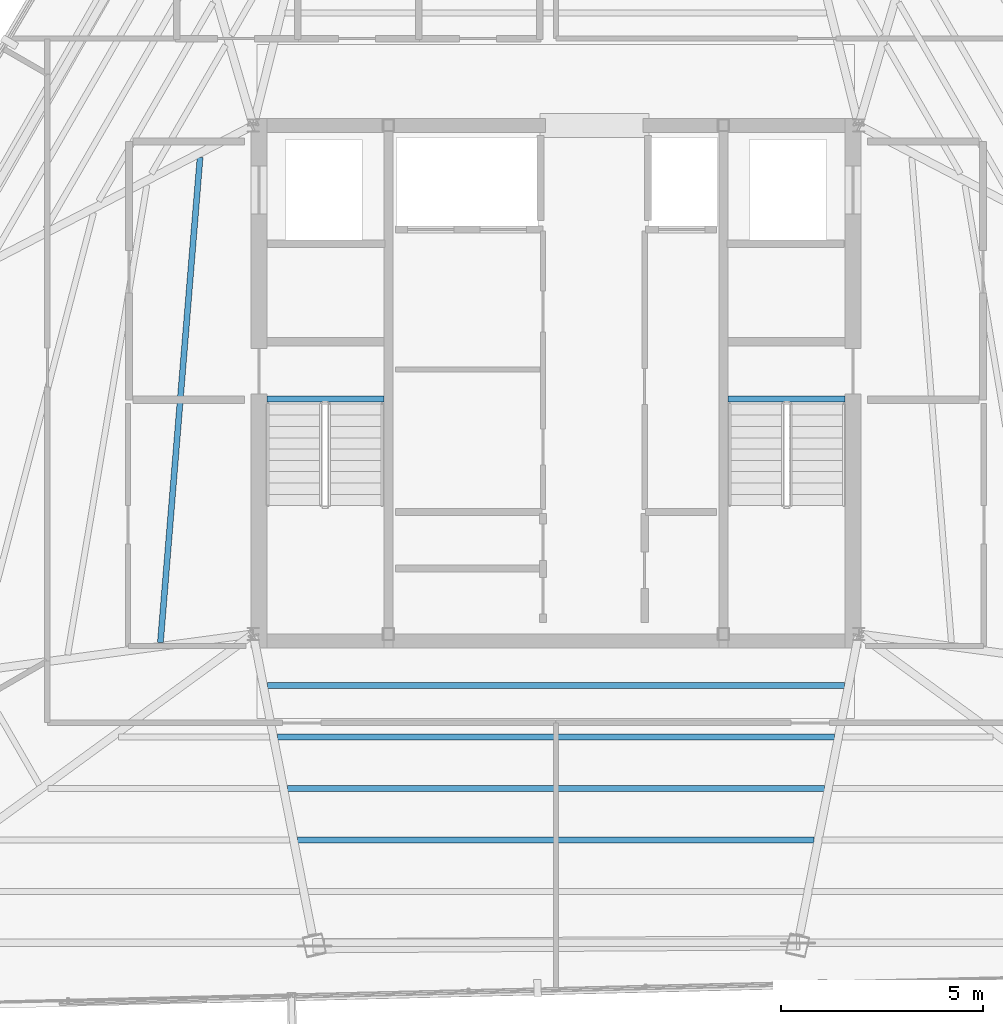
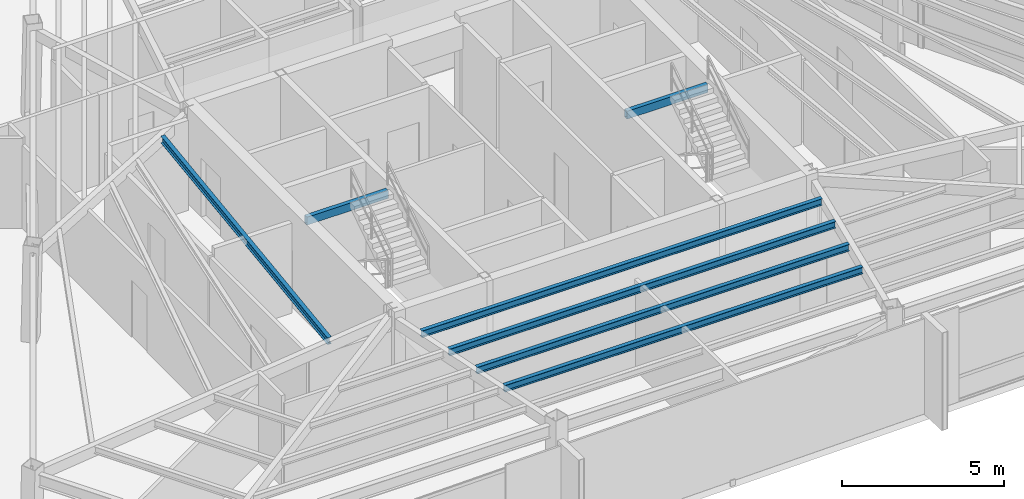
# One storey, part 16 of 45: 7 beams.
"""IFC4 building model written with IfcOpenShell, lengths in metres."""

from ifc_helpers import new_model, si_unit, direction, frame, origin, origin_2d, place, context, subcontext, project, spatial, hollow_rectangle, i_section, extrude, source, transform, mapped, material, material_profile, profile_set, type_object, type_shapes, element, save


model = new_model("IFC4")

# Units and contexts
model_context = context("Model", 3, precision=1e-05, world=origin(), true_north=direction((0.0, 1.0)))
body_context = subcontext(model_context, "Body", "Model", "MODEL_VIEW")
ifc_project = project(units=[si_unit("LENGTHUNIT", "METRE"), si_unit("AREAUNIT", "SQUARE_METRE"), si_unit("VOLUMEUNIT", "CUBIC_METRE"), si_unit("PLANEANGLEUNIT", "RADIAN"), si_unit("MASSUNIT", "GRAM", prefix="KILO")], contexts=[model_context])

# Site, building, storey
site_placement = place(None, origin())
site = spatial("IfcSite", under=ifc_project, at=site_placement, CompositionType="ELEMENT")
building_placement = place(site_placement, origin())
building = spatial("IfcBuilding", under=site, at=building_placement, Name="Caelisora Broadcast Tower", CompositionType="ELEMENT")
storey_placement = place(building_placement, frame((0.0, 0.0, 273.64990234375)))
storey = spatial("IfcBuildingStorey", under=building, at=storey_placement, Name="L72", CompositionType="ELEMENT", Elevation=273.64990234375)

# Beams
ifc_material_1 = material(Name="Steel Grade 350 (AS/NZS 1163 C350L0)", Category="steel")
ifc_material_profile_1 = material_profile(ifc_material_1, hollow_rectangle(XDim=0.14990234375, YDim=0.300048828125, WallThickness=0.010009765625, at=origin_2d()), Name="Steel Grade 350 (AS/NZS 1163 C350L0)")
ifc_profile_set_1 = profile_set([ifc_material_profile_1], Name="Steel Grade 350 (AS/NZS 1163 C350L0)")
beam_type_1 = type_object("IfcBeamType", Name="SB05", PredefinedType="JOIST", material=ifc_profile_set_1)
shared_shape_1 = source(origin(), body_context, "Body", "SweptSolid", [
    extrude(hollow_rectangle(XDim=0.14990234375, YDim=0.300048828125, WallThickness=0.010009765625, at=origin_2d()), origin(), (0.0, 0.0, 1.0), 2.89990234375),
])
type_shapes(beam_type_1, [shared_shape_1])
for number, where, z_axis, x_axis, name in (
    (1, (30.840087890625, 23.219970703125, 3.25), (1.0, 0.0, 0.0), (0.0, 1.0, 0.0), "L72 beam SB05"),
    (2, (42.260009765625, 23.219970703125, 3.25), (1.0, 0.0, 0.0), (0.0, 1.0, 0.0), "L72 beam SB05"),
):
    element("IfcBeam", number, at=place(storey_placement, frame(where, z_axis=z_axis, x_axis=x_axis)), inside=storey, type_object=beam_type_1, Name=name, PredefinedType="JOIST", context=body_context, shape_type="MappedRepresentation", body=[
        mapped(shared_shape_1, transform((0.0, 0.0, 0.0), scale=1.0)),
    ])
ifc_material_2 = material(Name="Steel Grade 350 (AS/NZS 3679.1)", Category="steel")
ifc_material_profile_2 = material_profile(ifc_material_2, i_section(OverallWidth=0.14599609375, OverallDepth=0.256103515625, WebThickness=0.00634765625, FlangeThickness=0.010986328125, at=origin_2d()), Name="Steel Grade 350 (AS/NZS 3679.1)")
ifc_profile_set_2 = profile_set([ifc_material_profile_2], Name="Steel Grade 350 (AS/NZS 3679.1)")
beam_type_2 = type_object("IfcBeamType", Name="SB04", PredefinedType="JOIST", material=ifc_profile_set_2)
shared_shape_2 = source(origin(), body_context, "Body", "SweptSolid", [
    extrude(i_section(OverallWidth=0.14599609375, OverallDepth=0.256103515625, WebThickness=0.00634765625, FlangeThickness=0.010986328125, at=origin_2d()), origin(), (0.0, 0.0, 1.0), 12.05810546875),
])
beam_1_placement = place(storey_placement, frame((29.183349609375, 29.20751953125, 3.27197265625), z_axis=(-0.081453543491, -0.996677139425, 0.0), x_axis=(0.996677139425, -0.081453543491, 0.0)))
element("IfcBeam", 3, at=beam_1_placement, inside=storey, type_object=beam_type_2, Name="L72 beam SB04", PredefinedType="JOIST", context=body_context, shape_type="MappedRepresentation", body=[
    mapped(shared_shape_2, transform((0.0, 0.0, 0.0), scale=1.0)),
])
shared_shape_3 = source(origin(), body_context, "Body", "SweptSolid", [
    extrude(i_section(OverallWidth=0.14599609375, OverallDepth=0.256103515625, WebThickness=0.00634765625, FlangeThickness=0.010986328125, at=origin_2d()), origin(), (0.0, 0.0, 1.0), 14.3017578125),
])
beam_2_placement = place(storey_placement, frame((30.84912109375, 16.124267578125, 3.27197265625), z_axis=(1.0, 0.0, 0.0), x_axis=(0.0, 1.0, 0.0)))
element("IfcBeam", 4, at=beam_2_placement, inside=storey, type_object=beam_type_2, Name="L72 beam SB04", PredefinedType="JOIST", context=body_context, shape_type="MappedRepresentation", body=[
    mapped(shared_shape_3, transform((0.0, 0.0, 0.0), scale=1.0)),
])
shared_shape_4 = source(origin(), body_context, "Body", "SweptSolid", [
    extrude(i_section(OverallWidth=0.14599609375, OverallDepth=0.256103515625, WebThickness=0.00634765625, FlangeThickness=0.010986328125, at=origin_2d()), origin(), (0.0, 0.0, 1.0), 13.80126953125),
])
beam_3_placement = place(storey_placement, frame((31.099365234375, 14.8486328125, 3.27197265625), z_axis=(1.0, 0.0, 0.0), x_axis=(0.0, 1.0, 0.0)))
element("IfcBeam", 5, at=beam_3_placement, inside=storey, type_object=beam_type_2, Name="L72 beam SB04", PredefinedType="JOIST", context=body_context, shape_type="MappedRepresentation", body=[
    mapped(shared_shape_4, transform((0.0, 0.0, 0.0), scale=1.0)),
])
shared_shape_5 = source(origin(), body_context, "Body", "SweptSolid", [
    extrude(i_section(OverallWidth=0.14599609375, OverallDepth=0.256103515625, WebThickness=0.00634765625, FlangeThickness=0.010986328125, at=origin_2d()), origin(), (0.0, 0.0, 1.0), 13.30078125),
])
beam_4_placement = place(storey_placement, frame((31.349609375, 13.572998046875, 3.27197265625), z_axis=(1.0, 0.0, 0.0), x_axis=(0.0, 1.0, 0.0)))
element("IfcBeam", 6, at=beam_4_placement, inside=storey, type_object=beam_type_2, Name="L72 beam SB04", PredefinedType="JOIST", context=body_context, shape_type="MappedRepresentation", body=[
    mapped(shared_shape_5, transform((0.0, 0.0, 0.0), scale=1.0)),
])
shared_shape_6 = source(origin(), body_context, "Body", "SweptSolid", [
    extrude(i_section(OverallWidth=0.14599609375, OverallDepth=0.256103515625, WebThickness=0.00634765625, FlangeThickness=0.010986328125, at=origin_2d()), origin(), (0.0, 0.0, 1.0), 12.7998046875),
])
type_shapes(beam_type_2, [shared_shape_2, shared_shape_3, shared_shape_4, shared_shape_5, shared_shape_6])
beam_5_placement = place(storey_placement, frame((31.60009765625, 12.29736328125, 3.27197265625), z_axis=(1.0, 0.0, 0.0), x_axis=(0.0, 1.0, 0.0)))
element("IfcBeam", 7, at=beam_5_placement, inside=storey, type_object=beam_type_2, Name="L72 beam SB04", PredefinedType="JOIST", context=body_context, shape_type="MappedRepresentation", body=[
    mapped(shared_shape_6, transform((0.0, 0.0, 0.0), scale=1.0)),
])

save(model, "model.ifc")
